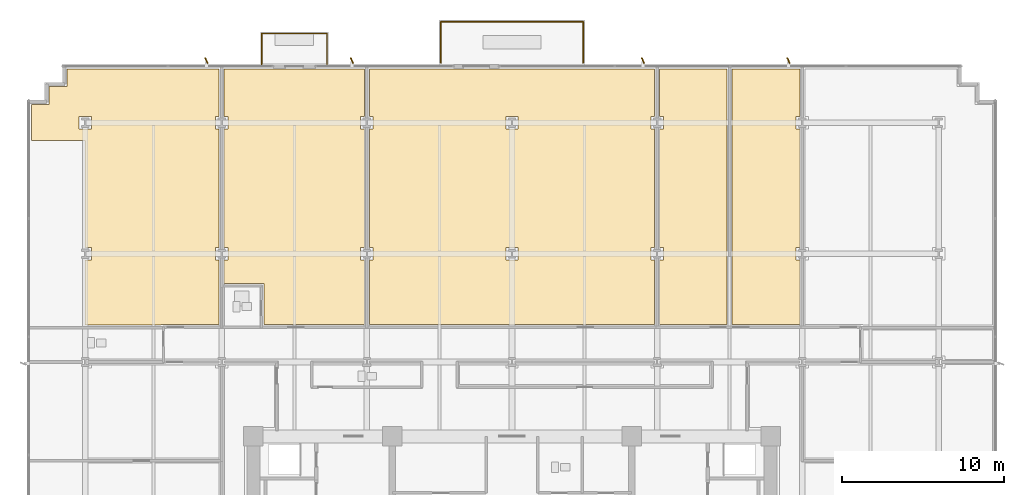
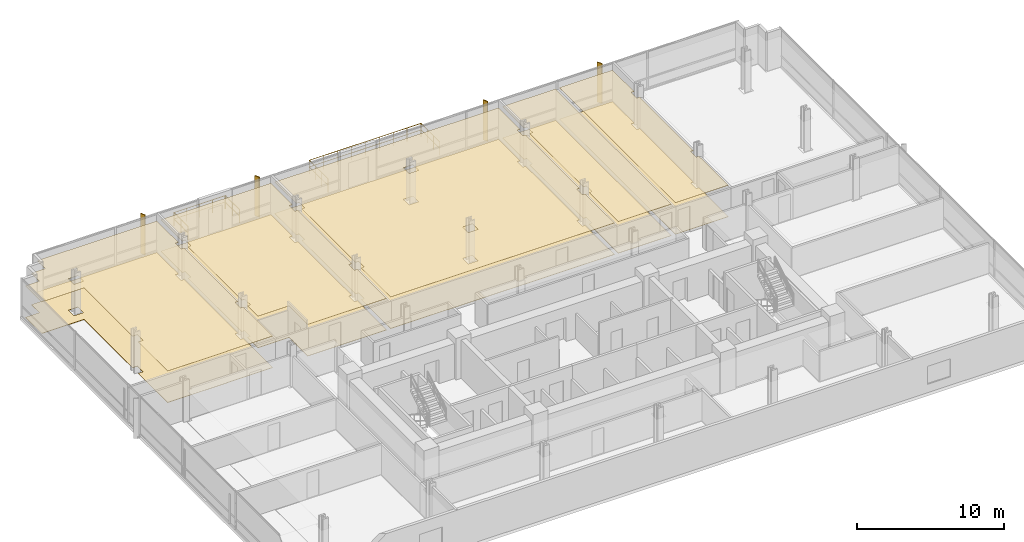
# One storey, part 19 of 21: 10 coverings, 6 railings, 4 shading devices.
"""IFC4 building model written with IfcOpenShell, lengths in metres."""

from ifc_helpers import new_model, si_unit, direction, frame, origin, origin_2d, place, context, subcontext, project, spatial, polyline, rectangle, circle, outline, extrude, material, layer, layer_set, type_object, element, save


model = new_model("IFC4")

# Units and contexts
model_context = context("Model", 3, precision=1e-05, world=origin(), true_north=direction((0.0, 1.0)))
body_context = subcontext(model_context, "Body", "Model", "MODEL_VIEW")
ifc_project = project(units=[si_unit("LENGTHUNIT", "METRE"), si_unit("AREAUNIT", "SQUARE_METRE"), si_unit("VOLUMEUNIT", "CUBIC_METRE"), si_unit("PLANEANGLEUNIT", "RADIAN"), si_unit("MASSUNIT", "GRAM", prefix="KILO")], contexts=[model_context])

# Site, building, storey
site_placement = place(None, origin())
site = spatial("IfcSite", under=ifc_project, at=site_placement, CompositionType="ELEMENT")
building_placement = place(site_placement, origin())
building = spatial("IfcBuilding", under=site, at=building_placement, Name="Solmavex Isthmus Hotel", CompositionType="ELEMENT")
storey_placement = place(building_placement, frame((0.0, 0.0, 54.0)))
storey = spatial("IfcBuildingStorey", under=building, at=storey_placement, Name="L14", CompositionType="ELEMENT", Elevation=54.0)

# Coverings
ifc_material_1 = material(Name="Gypsum plasterboard lining", Category="gypsum")
ifc_layer_1 = layer(ifc_material_1, 0.030029296875)
ifc_layer_set_1 = layer_set([ifc_layer_1], Name="Gypsum plasterboard lining")
covering_type_1 = type_object("IfcCoveringType", Name="COV-CEIL-GYP", PredefinedType="CEILING", material=ifc_layer_set_1)
covering_1_placement = place(storey_placement, frame((0.0, 0.0, 2.6201171875)))
element("IfcCovering", 1, at=covering_1_placement, inside=storey, type_object=covering_type_1, Name="Suspended Acoustic Ceiling L14-RM01", PredefinedType="CEILING", context=body_context, shape_type="SweptSolid", body=[
    extrude(outline(polyline([(-21.70703125, 4.385009765625), (-21.70703125, 4.405029296875), (-18.10693359375, 4.405029296875), (-18.10693359375, 8.407958984375), (-18.33203125, 8.407958984375), (-18.33203125, 9.16796875), (-18.10693359375, 9.16796875), (-18.10693359375, 16.52001953125), (-18.33203125, 16.52001953125), (-18.33203125, 17.280029296875), (-18.10693359375, 17.280029296875), (-18.10693359375, 20.22509765625), (-27.52490234375, 20.22509765625), (-27.52490234375, 19.125), (-28.625, 19.125), (-28.625, 18.02490234375), (-29.72509765625, 18.02490234375), (-29.72509765625, 15.800048828125), (-26.39990234375, 15.800048828125), (-26.39990234375, 9.16796875), (-26.02001953125, 9.16796875), (-26.02001953125, 8.407958984375), (-26.39990234375, 8.407958984375), (-26.39990234375, 4.385009765625), (-21.70703125, 4.385009765625)]), holes=[polyline([(-26.780029296875, 17.280029296875), (-26.02001953125, 17.280029296875), (-26.02001953125, 16.52001953125), (-26.780029296875, 16.52001953125), (-26.780029296875, 17.280029296875)])]), origin(), (0.0, 0.0, 1.0), 0.02978515625),
])
covering_2_placement = place(storey_placement, frame((0.0, 0.0, 2.6201171875)))
element("IfcCovering", 2, at=covering_2_placement, inside=storey, type_object=covering_type_1, Name="Suspended Acoustic Ceiling L14-RM02", PredefinedType="CEILING", context=body_context, shape_type="SweptSolid", body=[
    extrude(outline(polyline([(-17.797119140625, 9.16796875), (-17.572021484375, 9.16796875), (-17.572021484375, 8.407958984375), (-17.797119140625, 8.407958984375), (-17.797119140625, 6.955078125), (-15.346923828125, 6.955078125), (-15.346923828125, 4.405029296875), (-9.131103515625, 4.405029296875), (-9.131103515625, 8.407958984375), (-9.35595703125, 8.407958984375), (-9.35595703125, 9.16796875), (-9.131103515625, 9.16796875), (-9.131103515625, 16.52001953125), (-9.35595703125, 16.52001953125), (-9.35595703125, 17.280029296875), (-9.131103515625, 17.280029296875), (-9.131103515625, 20.22509765625), (-17.797119140625, 20.22509765625), (-17.797119140625, 17.280029296875), (-17.572021484375, 17.280029296875), (-17.572021484375, 16.52001953125), (-17.797119140625, 16.52001953125), (-17.797119140625, 9.16796875)])), origin(), (0.0, 0.0, 1.0), 0.02978515625),
])
covering_3_placement = place(storey_placement, frame((0.0, 0.0, 2.6201171875)))
element("IfcCovering", 3, at=covering_3_placement, inside=storey, type_object=covering_type_1, Name="Suspended Acoustic Ceiling L14-RM03", PredefinedType="CEILING", context=body_context, shape_type="SweptSolid", body=[
    extrude(outline(polyline([(-8.821044921875, 9.16796875), (-8.595947265625, 9.16796875), (-8.595947265625, 8.407958984375), (-8.821044921875, 8.407958984375), (-8.821044921875, 4.405029296875), (8.821044921875, 4.405029296875), (8.821044921875, 8.407958984375), (8.595947265625, 8.407958984375), (8.595947265625, 9.16796875), (8.821044921875, 9.16796875), (8.821044921875, 16.52001953125), (8.595947265625, 16.52001953125), (8.595947265625, 17.280029296875), (8.821044921875, 17.280029296875), (8.821044921875, 20.22509765625), (-8.821044921875, 20.22509765625), (-8.821044921875, 17.280029296875), (-8.595947265625, 17.280029296875), (-8.595947265625, 16.52001953125), (-8.821044921875, 16.52001953125), (-8.821044921875, 9.16796875)]), holes=[polyline([(-0.3798828125, 8.407958984375), (-0.3798828125, 9.16796875), (0.3798828125, 9.16796875), (0.3798828125, 8.407958984375), (-0.3798828125, 8.407958984375)]), polyline([(-0.3798828125, 17.280029296875), (0.3798828125, 17.280029296875), (0.3798828125, 16.52001953125), (-0.3798828125, 16.52001953125), (-0.3798828125, 17.280029296875)])]), origin(), (0.0, 0.0, 1.0), 0.02978515625),
])
covering_4_placement = place(storey_placement, frame((0.0, 0.0, 2.6201171875)))
element("IfcCovering", 4, at=covering_4_placement, inside=storey, type_object=covering_type_1, Name="Suspended Acoustic Ceiling L14-RM04", PredefinedType="CEILING", context=body_context, shape_type="SweptSolid", body=[
    extrude(outline(polyline([(9.131103515625, 9.16796875), (9.35595703125, 9.16796875), (9.35595703125, 8.407958984375), (9.131103515625, 8.407958984375), (9.131103515625, 4.405029296875), (13.30908203125, 4.405029296875), (13.30908203125, 20.22509765625), (9.131103515625, 20.22509765625), (9.131103515625, 17.280029296875), (9.35595703125, 17.280029296875), (9.35595703125, 16.52001953125), (9.131103515625, 16.52001953125), (9.131103515625, 9.16796875)])), origin(), (0.0, 0.0, 1.0), 0.02978515625),
])
covering_5_placement = place(storey_placement, frame((0.0, 0.0, 2.6201171875)))
element("IfcCovering", 5, at=covering_5_placement, inside=storey, type_object=covering_type_1, Name="Suspended Acoustic Ceiling L14-RM05", PredefinedType="CEILING", context=body_context, shape_type="SweptSolid", body=[
    extrude(outline(polyline([(17.797119140625, 16.52001953125), (17.572021484375, 16.52001953125), (17.572021484375, 17.280029296875), (17.797119140625, 17.280029296875), (17.797119140625, 20.22509765625), (13.618896484375, 20.22509765625), (13.618896484375, 4.405029296875), (17.797119140625, 4.405029296875), (17.797119140625, 8.407958984375), (17.572021484375, 8.407958984375), (17.572021484375, 9.16796875), (17.797119140625, 9.16796875), (17.797119140625, 16.52001953125)])), origin(), (0.0, 0.0, 1.0), 0.02978515625),
])
ifc_material_2 = material(Name="Travertine natural stone", Category="masonry")
ifc_layer_2 = layer(ifc_material_2, 0.02490234375)
ifc_layer_set_2 = layer_set([ifc_layer_2], Name="Travertine natural stone")
covering_type_2 = type_object("IfcCoveringType", Name="COV-FLOR-STN", PredefinedType="FLOORING", material=ifc_layer_set_2)
covering_6_placement = place(storey_placement, origin())
element("IfcCovering", 6, at=covering_6_placement, inside=storey, type_object=covering_type_2, Name="Stone and Timber Floor Finish L14-RM01", PredefinedType="FLOORING", context=body_context, shape_type="SweptSolid", body=[
    extrude(outline(polyline([(-21.70703125, 4.385009765625), (-21.70703125, 4.405029296875), (-18.10693359375, 4.405029296875), (-18.10693359375, 8.407958984375), (-18.33203125, 8.407958984375), (-18.33203125, 9.16796875), (-18.10693359375, 9.16796875), (-18.10693359375, 16.52001953125), (-18.33203125, 16.52001953125), (-18.33203125, 17.280029296875), (-18.10693359375, 17.280029296875), (-18.10693359375, 20.22509765625), (-27.52490234375, 20.22509765625), (-27.52490234375, 19.125), (-28.625, 19.125), (-28.625, 18.02490234375), (-29.72509765625, 18.02490234375), (-29.72509765625, 15.800048828125), (-26.39990234375, 15.800048828125), (-26.39990234375, 9.16796875), (-26.02001953125, 9.16796875), (-26.02001953125, 8.407958984375), (-26.39990234375, 8.407958984375), (-26.39990234375, 4.385009765625), (-21.70703125, 4.385009765625)]), holes=[polyline([(-26.780029296875, 17.280029296875), (-26.02001953125, 17.280029296875), (-26.02001953125, 16.52001953125), (-26.780029296875, 16.52001953125), (-26.780029296875, 17.280029296875)])]), origin(), (0.0, 0.0, 1.0), 0.02490234375),
])
covering_7_placement = place(storey_placement, origin())
element("IfcCovering", 7, at=covering_7_placement, inside=storey, type_object=covering_type_2, Name="Stone and Timber Floor Finish L14-RM02", PredefinedType="FLOORING", context=body_context, shape_type="SweptSolid", body=[
    extrude(outline(polyline([(-17.797119140625, 9.16796875), (-17.572021484375, 9.16796875), (-17.572021484375, 8.407958984375), (-17.797119140625, 8.407958984375), (-17.797119140625, 6.955078125), (-15.346923828125, 6.955078125), (-15.346923828125, 4.405029296875), (-9.131103515625, 4.405029296875), (-9.131103515625, 8.407958984375), (-9.35595703125, 8.407958984375), (-9.35595703125, 9.16796875), (-9.131103515625, 9.16796875), (-9.131103515625, 16.52001953125), (-9.35595703125, 16.52001953125), (-9.35595703125, 17.280029296875), (-9.131103515625, 17.280029296875), (-9.131103515625, 20.22509765625), (-17.797119140625, 20.22509765625), (-17.797119140625, 17.280029296875), (-17.572021484375, 17.280029296875), (-17.572021484375, 16.52001953125), (-17.797119140625, 16.52001953125), (-17.797119140625, 9.16796875)])), origin(), (0.0, 0.0, 1.0), 0.02490234375),
])
covering_8_placement = place(storey_placement, origin())
element("IfcCovering", 8, at=covering_8_placement, inside=storey, type_object=covering_type_2, Name="Stone and Timber Floor Finish L14-RM03", PredefinedType="FLOORING", context=body_context, shape_type="SweptSolid", body=[
    extrude(outline(polyline([(-8.821044921875, 9.16796875), (-8.595947265625, 9.16796875), (-8.595947265625, 8.407958984375), (-8.821044921875, 8.407958984375), (-8.821044921875, 4.405029296875), (8.821044921875, 4.405029296875), (8.821044921875, 8.407958984375), (8.595947265625, 8.407958984375), (8.595947265625, 9.16796875), (8.821044921875, 9.16796875), (8.821044921875, 16.52001953125), (8.595947265625, 16.52001953125), (8.595947265625, 17.280029296875), (8.821044921875, 17.280029296875), (8.821044921875, 20.22509765625), (-8.821044921875, 20.22509765625), (-8.821044921875, 17.280029296875), (-8.595947265625, 17.280029296875), (-8.595947265625, 16.52001953125), (-8.821044921875, 16.52001953125), (-8.821044921875, 9.16796875)]), holes=[polyline([(-0.3798828125, 8.407958984375), (-0.3798828125, 9.16796875), (0.3798828125, 9.16796875), (0.3798828125, 8.407958984375), (-0.3798828125, 8.407958984375)]), polyline([(-0.3798828125, 17.280029296875), (0.3798828125, 17.280029296875), (0.3798828125, 16.52001953125), (-0.3798828125, 16.52001953125), (-0.3798828125, 17.280029296875)])]), origin(), (0.0, 0.0, 1.0), 0.02490234375),
])
covering_9_placement = place(storey_placement, origin())
element("IfcCovering", 9, at=covering_9_placement, inside=storey, type_object=covering_type_2, Name="Stone and Timber Floor Finish L14-RM04", PredefinedType="FLOORING", context=body_context, shape_type="SweptSolid", body=[
    extrude(outline(polyline([(9.131103515625, 9.16796875), (9.35595703125, 9.16796875), (9.35595703125, 8.407958984375), (9.131103515625, 8.407958984375), (9.131103515625, 4.405029296875), (13.30908203125, 4.405029296875), (13.30908203125, 20.22509765625), (9.131103515625, 20.22509765625), (9.131103515625, 17.280029296875), (9.35595703125, 17.280029296875), (9.35595703125, 16.52001953125), (9.131103515625, 16.52001953125), (9.131103515625, 9.16796875)])), origin(), (0.0, 0.0, 1.0), 0.02490234375),
])
covering_10_placement = place(storey_placement, origin())
element("IfcCovering", 10, at=covering_10_placement, inside=storey, type_object=covering_type_2, Name="Stone and Timber Floor Finish L14-RM05", PredefinedType="FLOORING", context=body_context, shape_type="SweptSolid", body=[
    extrude(outline(polyline([(17.797119140625, 16.52001953125), (17.572021484375, 16.52001953125), (17.572021484375, 17.280029296875), (17.797119140625, 17.280029296875), (17.797119140625, 20.22509765625), (13.618896484375, 20.22509765625), (13.618896484375, 4.405029296875), (17.797119140625, 4.405029296875), (17.797119140625, 8.407958984375), (17.572021484375, 8.407958984375), (17.572021484375, 9.16796875), (17.797119140625, 9.16796875), (17.797119140625, 16.52001953125)])), origin(), (0.0, 0.0, 1.0), 0.02490234375),
])

# Railings
ifc_material_3 = material(Name="Clear low-E laminated glass", Category="glass")
ifc_layer_3 = layer(ifc_material_3, 0.080078125)
ifc_layer_set_3 = layer_set([ifc_layer_3], Name="Clear low-E laminated glass")
railing_type_1 = type_object("IfcRailingType", Name="RAIL-ATRIUM-1120", PredefinedType="BALUSTRADE", material=ifc_layer_set_3)
railing_1_placement = place(storey_placement, frame((-4.39990234375, 20.60107421875, 0.0)))
element("IfcRailing", 11, at=railing_1_placement, inside=storey, type_object=railing_type_1, Name="Guardrail Balustrade L14-SG1-01", PredefinedType="BALUSTRADE", context=body_context, shape_type="SweptSolid", body=[
    extrude(circle(Radius=0.02392578125, at=origin_2d()), frame((0.0, 0.0, 1.1259765625), z_axis=(0.0, 1.0, 0.0), x_axis=(-1.0, 0.0, 0.0)), (0.0, 0.0, 1.0), 2.548828125),
    extrude(circle(Radius=0.02392578125, at=origin_2d()), frame((0.0, 0.0, 0.574951171875), z_axis=(0.0, 1.0, 0.0), x_axis=(-1.0, 0.0, 0.0)), (0.0, 0.0, 1.0), 2.548828125),
    extrude(circle(Radius=0.02099609375, at=origin_2d()), origin(), (0.0, 0.0, 1.0), 1.101806640625),
    extrude(circle(Radius=0.02099609375, at=origin_2d()), frame((0.0, 0.849609375, 0.0)), (0.0, 0.0, 1.0), 1.101806640625),
    extrude(circle(Radius=0.02099609375, at=origin_2d()), frame((0.0, 1.69921875, 0.0)), (0.0, 0.0, 1.0), 1.101806640625),
    extrude(circle(Radius=0.02099609375, at=origin_2d()), frame((0.0, 2.548828125, 0.0)), (0.0, 0.0, 1.0), 1.101806640625),
])
railing_2_placement = place(storey_placement, frame((-4.39990234375, 23.14990234375, 0.0)))
element("IfcRailing", 12, at=railing_2_placement, inside=storey, type_object=railing_type_1, Name="Guardrail Balustrade L14-SG1-02", PredefinedType="BALUSTRADE", context=body_context, shape_type="SweptSolid", body=[
    extrude(circle(Radius=0.02392578125, at=origin_2d()), frame((0.0, 0.0, 1.1259765625), z_axis=(1.0, 0.0, 0.0), x_axis=(0.0, 1.0, 0.0)), (0.0, 0.0, 1.0), 8.7998046875),
    extrude(circle(Radius=0.02392578125, at=origin_2d()), frame((0.0, 0.0, 0.574951171875), z_axis=(1.0, 0.0, 0.0), x_axis=(0.0, 1.0, 0.0)), (0.0, 0.0, 1.0), 8.7998046875),
    extrude(circle(Radius=0.02099609375, at=origin_2d()), origin(), (0.0, 0.0, 1.0), 1.101806640625),
    extrude(circle(Radius=0.02099609375, at=origin_2d()), frame((1.10009765625, 0.0, 0.0)), (0.0, 0.0, 1.0), 1.101806640625),
    extrude(circle(Radius=0.02099609375, at=origin_2d()), frame((2.199951171875, 0.0, 0.0)), (0.0, 0.0, 1.0), 1.101806640625),
    extrude(circle(Radius=0.02099609375, at=origin_2d()), frame((3.2998046875, 0.0, 0.0)), (0.0, 0.0, 1.0), 1.101806640625),
    extrude(circle(Radius=0.02099609375, at=origin_2d()), frame((4.39990234375, 0.0, 0.0)), (0.0, 0.0, 1.0), 1.101806640625),
    extrude(circle(Radius=0.02099609375, at=origin_2d()), frame((5.5, 0.0, 0.0)), (0.0, 0.0, 1.0), 1.101806640625),
    extrude(circle(Radius=0.02099609375, at=origin_2d()), frame((6.599853515625, 0.0, 0.0)), (0.0, 0.0, 1.0), 1.101806640625),
    extrude(circle(Radius=0.02099609375, at=origin_2d()), frame((7.69970703125, 0.0, 0.0)), (0.0, 0.0, 1.0), 1.101806640625),
    extrude(circle(Radius=0.02099609375, at=origin_2d()), frame((8.7998046875, 0.0, 0.0)), (0.0, 0.0, 1.0), 1.101806640625),
])
railing_3_placement = place(storey_placement, frame((4.39990234375, 23.14990234375, 0.0)))
element("IfcRailing", 13, at=railing_3_placement, inside=storey, type_object=railing_type_1, Name="Guardrail Balustrade L14-SG1-03", PredefinedType="BALUSTRADE", context=body_context, shape_type="SweptSolid", body=[
    extrude(circle(Radius=0.02392578125, at=origin_2d()), frame((0.0, 0.0, 1.1259765625), z_axis=(0.0, -1.0, 0.0), x_axis=(1.0, 0.0, 0.0)), (0.0, 0.0, 1.0), 2.548828125),
    extrude(circle(Radius=0.02392578125, at=origin_2d()), frame((0.0, 0.0, 0.574951171875), z_axis=(0.0, -1.0, 0.0), x_axis=(1.0, 0.0, 0.0)), (0.0, 0.0, 1.0), 2.548828125),
    extrude(circle(Radius=0.02099609375, at=origin_2d()), origin(), (0.0, 0.0, 1.0), 1.101806640625),
    extrude(circle(Radius=0.02099609375, at=origin_2d()), frame((0.0, -0.849609375, 0.0)), (0.0, 0.0, 1.0), 1.101806640625),
    extrude(circle(Radius=0.02099609375, at=origin_2d()), frame((0.0, -1.69921875, 0.0)), (0.0, 0.0, 1.0), 1.101806640625),
    extrude(circle(Radius=0.02099609375, at=origin_2d()), frame((0.0, -2.548828125, 0.0)), (0.0, 0.0, 1.0), 1.101806640625),
])
ifc_layer_4 = layer(ifc_material_3, 0.070068359375)
ifc_layer_set_4 = layer_set([ifc_layer_4], Name="Clear low-E laminated glass")
railing_type_2 = type_object("IfcRailingType", Name="RAIL-GUARD-1100", PredefinedType="BALUSTRADE", material=ifc_layer_set_4)
railing_4_placement = place(storey_placement, frame((-15.48388671875, 20.5, 0.0)))
element("IfcRailing", 14, at=railing_4_placement, inside=storey, type_object=railing_type_2, Name="Guardrail Balustrade L14-BAL1-01", PredefinedType="BALUSTRADE", context=body_context, shape_type="SweptSolid", body=[
    extrude(circle(Radius=0.02392578125, at=origin_2d()), frame((0.0, 0.0, 1.09619140625), z_axis=(0.0, 1.0, 0.0), x_axis=(-1.0, 0.0, 0.0)), (0.0, 0.0, 1.0), 1.919921875),
    extrude(circle(Radius=0.02392578125, at=origin_2d()), frame((0.0, 0.0, 0.56005859375), z_axis=(0.0, 1.0, 0.0), x_axis=(-1.0, 0.0, 0.0)), (0.0, 0.0, 1.0), 1.919921875),
    extrude(circle(Radius=0.02099609375, at=origin_2d()), origin(), (0.0, 0.0, 1.0), 1.072021484375),
    extrude(circle(Radius=0.02099609375, at=origin_2d()), frame((0.0, 0.9599609375, 0.0)), (0.0, 0.0, 1.0), 1.072021484375),
    extrude(circle(Radius=0.02099609375, at=origin_2d()), frame((0.0, 1.919921875, 0.0)), (0.0, 0.0, 1.0), 1.072021484375),
])
railing_5_placement = place(storey_placement, frame((-15.48388671875, 22.419921875, 0.0)))
element("IfcRailing", 15, at=railing_5_placement, inside=storey, type_object=railing_type_2, Name="Guardrail Balustrade L14-BAL1-02", PredefinedType="BALUSTRADE", context=body_context, shape_type="SweptSolid", body=[
    extrude(circle(Radius=0.02392578125, at=origin_2d()), frame((0.0, 0.0, 1.09619140625), z_axis=(1.0, 0.0, 0.0), x_axis=(0.0, 1.0, 0.0)), (0.0, 0.0, 1.0), 4.039794921875),
    extrude(circle(Radius=0.02392578125, at=origin_2d()), frame((0.0, 0.0, 0.56005859375), z_axis=(1.0, 0.0, 0.0), x_axis=(0.0, 1.0, 0.0)), (0.0, 0.0, 1.0), 4.039794921875),
    extrude(circle(Radius=0.02099609375, at=origin_2d()), origin(), (0.0, 0.0, 1.0), 1.072021484375),
    extrude(circle(Radius=0.02099609375, at=origin_2d()), frame((1.010009765625, 0.0, 0.0)), (0.0, 0.0, 1.0), 1.072021484375),
    extrude(circle(Radius=0.02099609375, at=origin_2d()), frame((2.02001953125, 0.0, 0.0)), (0.0, 0.0, 1.0), 1.072021484375),
    extrude(circle(Radius=0.02099609375, at=origin_2d()), frame((3.02978515625, 0.0, 0.0)), (0.0, 0.0, 1.0), 1.072021484375),
    extrude(circle(Radius=0.02099609375, at=origin_2d()), frame((4.039794921875, 0.0, 0.0)), (0.0, 0.0, 1.0), 1.072021484375),
])
railing_6_placement = place(storey_placement, frame((-11.444091796875, 22.419921875, 0.0)))
element("IfcRailing", 16, at=railing_6_placement, inside=storey, type_object=railing_type_2, Name="Guardrail Balustrade L14-BAL1-03", PredefinedType="BALUSTRADE", context=body_context, shape_type="SweptSolid", body=[
    extrude(circle(Radius=0.02392578125, at=origin_2d()), frame((0.0, 0.0, 1.09619140625), z_axis=(0.0, -1.0, 0.0), x_axis=(1.0, 0.0, 0.0)), (0.0, 0.0, 1.0), 1.919921875),
    extrude(circle(Radius=0.02392578125, at=origin_2d()), frame((0.0, 0.0, 0.56005859375), z_axis=(0.0, -1.0, 0.0), x_axis=(1.0, 0.0, 0.0)), (0.0, 0.0, 1.0), 1.919921875),
    extrude(circle(Radius=0.02099609375, at=origin_2d()), origin(), (0.0, 0.0, 1.0), 1.072021484375),
    extrude(circle(Radius=0.02099609375, at=origin_2d()), frame((0.0, -0.9599609375, 0.0)), (0.0, 0.0, 1.0), 1.072021484375),
    extrude(circle(Radius=0.02099609375, at=origin_2d()), frame((0.0, -1.919921875, 0.0)), (0.0, 0.0, 1.0), 1.072021484375),
])

# Shading devices
ifc_material_4 = material(Name="Aluminium alloy 6063-T6", Category="aluminium")
shading_device_type = type_object("IfcShadingDeviceType", Name="SHD-FIN-CHAMP", PredefinedType="USERDEFINED", material=ifc_material_4)
for number, where, z_axis, x_axis, name in (
    (17, (-18.89990234375, 20.739990234375, -0.14013671875), (0.0, 0.0, 1.0), (-0.438371146789, 0.898794046299, 0.0), "Anodised Aluminium Solar Fin L14-N1"),
    (18, (-9.89990234375, 20.739990234375, -0.14013671875), (0.0, 0.0, 1.0), (-0.438371146789, 0.898794046299, 0.0), "Anodised Aluminium Solar Fin L14-N2"),
    (19, (8.10009765625, 20.739990234375, -0.14013671875), (0.0, 0.0, 1.0), (-0.438371146789, 0.898794046299, 0.0), "Anodised Aluminium Solar Fin L14-N3"),
    (20, (17.10009765625, 20.739990234375, -0.14013671875), (0.0, 0.0, 1.0), (-0.438371146789, 0.898794046299, 0.0), "Anodised Aluminium Solar Fin L14-N4"),
):
    element("IfcShadingDevice", number, at=place(storey_placement, frame(where, z_axis=z_axis, x_axis=x_axis)), inside=storey, type_object=shading_device_type, Name=name, ObjectType="SOLAR_FIN", PredefinedType="USERDEFINED", context=body_context, shape_type="SweptSolid", body=[
        extrude(rectangle(XDim=0.3798828125, YDim=0.070068359375, at=origin_2d()), origin(), (0.0, 0.0, 1.0), 3.330078125),
    ])

save(model, "model.ifc")
